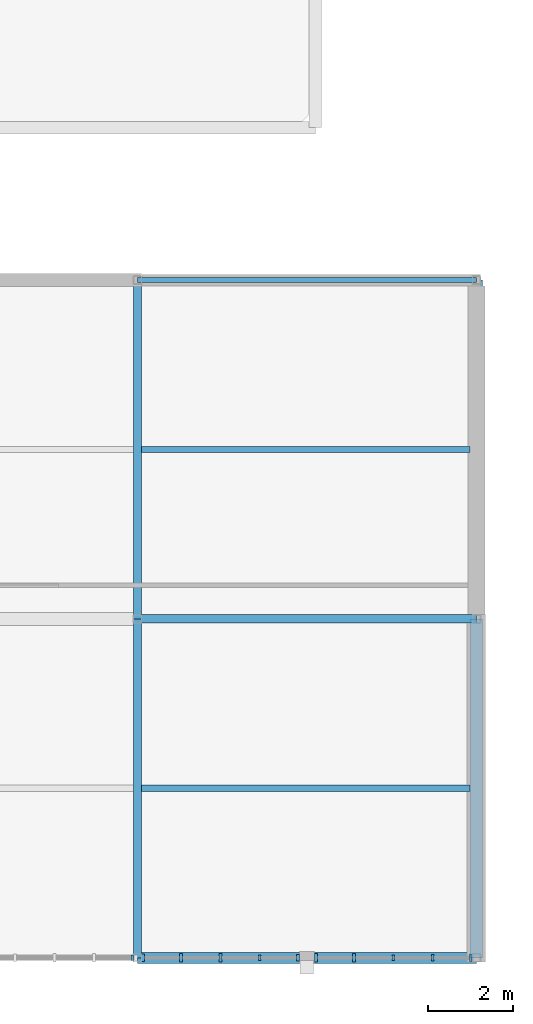
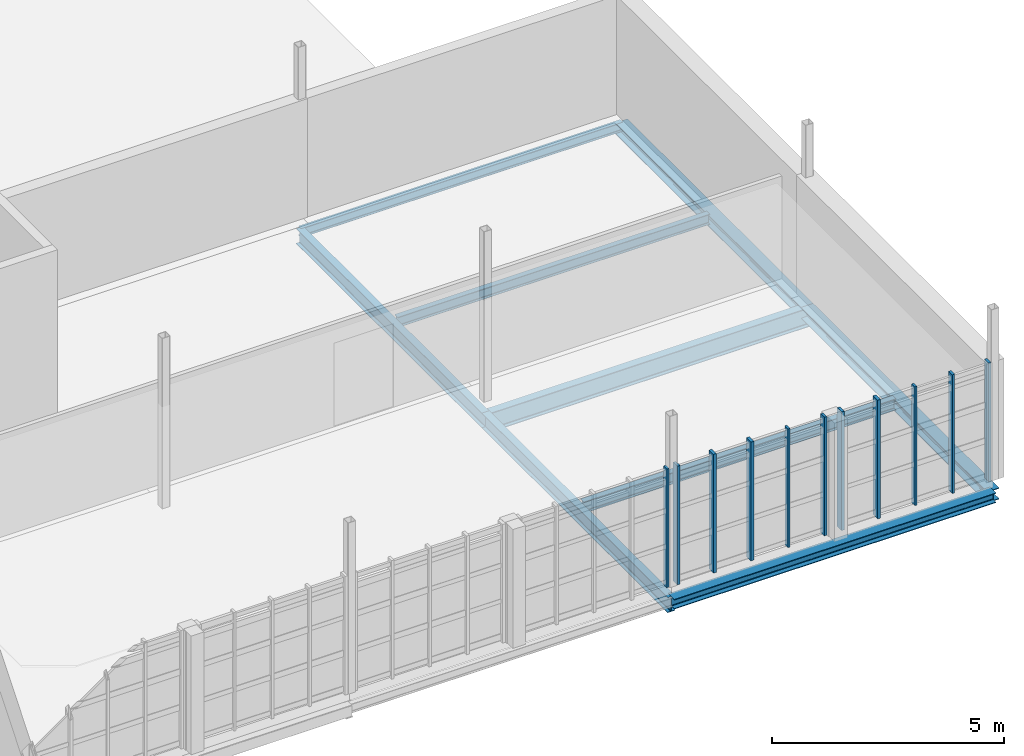
# One storey, part 39 of 125: 11 members, 9 beams, 3 elements without a shape of their own.
"""IFC4 building model written with IfcOpenShell, lengths in metres."""

from ifc_helpers import new_model, si_unit, direction, frame, origin, origin_2d, place, context, subcontext, project, spatial, rectangle, i_section, extrude, material, material_profile, profile_set, type_object, element, aggregate, save


model = new_model("IFC4")

# Units and contexts
model_context = context("Model", 3, precision=1e-05, world=origin(), true_north=direction((0.0, 1.0)))
body_context = subcontext(model_context, "Body", "Model", "MODEL_VIEW")
ifc_project = project(units=[si_unit("LENGTHUNIT", "METRE"), si_unit("AREAUNIT", "SQUARE_METRE"), si_unit("VOLUMEUNIT", "CUBIC_METRE"), si_unit("PLANEANGLEUNIT", "RADIAN"), si_unit("MASSUNIT", "GRAM", prefix="KILO")], contexts=[model_context])

# Site, building, storey
site_placement = place(None, origin())
site = spatial("IfcSite", under=ifc_project, at=site_placement, CompositionType="ELEMENT")
building_placement = place(site_placement, origin())
building = spatial("IfcBuilding", under=site, at=building_placement, Name="Serraforn Aerial Cableway Station", CompositionType="ELEMENT")
storey_placement = place(building_placement, frame((0.0, 0.0, 4.5)))
storey = spatial("IfcBuildingStorey", under=building, at=storey_placement, Name="L01", CompositionType="ELEMENT", Elevation=4.5)

# Beams
ifc_material_1 = material(Name="Steel S355J2", Category="steel")
ifc_material_profile_1 = material_profile(ifc_material_1, i_section(OverallWidth=0.260009765625, OverallDepth=0.260009765625, WebThickness=0.010009765625, FlangeThickness=0.017578125, FilletRadius=0.02392578125, at=origin_2d()), Name="HEB 260")
ifc_profile_set_1 = profile_set([ifc_material_profile_1], Name="Steel S355J2")
beam_type_1 = type_object("IfcBeamType", Name="BM-ST-HEB260", PredefinedType="BEAM", material=ifc_profile_set_1)
beam_1_placement = place(storey_placement, frame((160.0, 0.0, -0.449951171875), z_axis=(1.0, 0.0, 0.0), x_axis=(0.0, 1.0, 0.0)))
element("IfcBeam", 1, at=beam_1_placement, inside=storey, type_object=beam_type_1, Name="Grid Girder X ES L01 Y1-3", PredefinedType="BEAM", context=body_context, shape_type="SweptSolid", body=[
    extrude(i_section(OverallWidth=0.260009765625, OverallDepth=0.260009765625, WebThickness=0.010009765625, FlangeThickness=0.017578125, FilletRadius=0.02392578125, at=origin_2d()), origin(), (0.0, 0.0, 1.0), 8.0),
])
ifc_material_profile_2 = material_profile(ifc_material_1, i_section(OverallWidth=0.300048828125, OverallDepth=0.300048828125, WebThickness=0.010986328125, FlangeThickness=0.01904296875, FilletRadius=0.027099609375, at=origin_2d()), Name="HEB 300")
ifc_profile_set_2 = profile_set([ifc_material_profile_2], Name="Steel S355J2")
beam_type_2 = type_object("IfcBeamType", Name="BM-ST-HEB300", PredefinedType="BEAM", material=ifc_profile_set_2)
for number, where, z_axis, x_axis, name in (
    (2, (168.0, 0.0, -0.469970703125), (0.0, 1.0, 0.0), (-1.0, 0.0, 0.0), "Grid Girder Y ES L01 X4-1"),
    (3, (168.0, 8.0, -0.469970703125), (0.0, 1.0, 0.0), (-1.0, 0.0, 0.0), "Grid Girder Y ES L01 X4-2"),
):
    element("IfcBeam", number, at=place(storey_placement, frame(where, z_axis=z_axis, x_axis=x_axis)), inside=storey, type_object=beam_type_2, Name=name, PredefinedType="BEAM", context=body_context, shape_type="SweptSolid", body=[
        extrude(i_section(OverallWidth=0.300048828125, OverallDepth=0.300048828125, WebThickness=0.010986328125, FlangeThickness=0.01904296875, FilletRadius=0.027099609375, at=origin_2d()), origin(), (0.0, 0.0, 1.0), 8.0),
    ])
ifc_material_2 = material(Name="Steel S355JR", Category="steel")
ifc_material_profile_3 = material_profile(ifc_material_2, i_section(OverallWidth=0.1201171875, OverallDepth=0.239990234375, WebThickness=0.006103515625, FlangeThickness=0.009765625, FilletRadius=0.014892578125, at=origin_2d()), Name="IPE 240")
ifc_profile_set_3 = profile_set([ifc_material_profile_3], Name="Steel S355JR")
beam_type_3 = type_object("IfcBeamType", Name="BM-ST-IPE240", PredefinedType="SPANDREL", material=ifc_profile_set_3)
beam_2_placement = place(storey_placement, frame((160.0, 16.0, -0.43994140625), z_axis=(1.0, 0.0, 0.0), x_axis=(0.0, 1.0, 0.0)))
element("IfcBeam", 4, at=beam_2_placement, inside=storey, type_object=beam_type_3, Name="Grid Girder X ES L01 Y3-3", PredefinedType="SPANDREL", context=body_context, shape_type="SweptSolid", body=[
    extrude(i_section(OverallWidth=0.1201171875, OverallDepth=0.239990234375, WebThickness=0.006103515625, FlangeThickness=0.009765625, FilletRadius=0.014892578125, at=origin_2d()), origin(), (0.0, 0.0, 1.0), 8.0),
])
ifc_material_profile_4 = material_profile(ifc_material_2, i_section(OverallWidth=0.135009765625, OverallDepth=0.27001953125, WebThickness=0.006591796875, FlangeThickness=0.01025390625, FilletRadius=0.014892578125, at=origin_2d()), Name="IPE 270")
ifc_profile_set_4 = profile_set([ifc_material_profile_4], Name="Steel S355JR")
beam_type_4 = type_object("IfcBeamType", Name="BM-ST-IPE270", PredefinedType="JOIST", material=ifc_profile_set_4)
beam_3_placement = place(storey_placement, frame((160.090087890625, 12.0, -0.389892578125), z_axis=(1.0, 0.0, 0.0), x_axis=(0.0, 1.0, 0.0)))
element("IfcBeam", 5, at=beam_3_placement, inside=storey, type_object=beam_type_4, Name="Floor Joist ES-L01-3-2-1", PredefinedType="JOIST", context=body_context, shape_type="SweptSolid", body=[
    extrude(i_section(OverallWidth=0.135009765625, OverallDepth=0.27001953125, WebThickness=0.006591796875, FlangeThickness=0.01025390625, FilletRadius=0.014892578125, at=origin_2d()), origin(), (0.0, 0.0, 1.0), 7.760009765625),
])
ifc_material_profile_5 = material_profile(ifc_material_2, i_section(OverallWidth=0.14990234375, OverallDepth=0.300048828125, WebThickness=0.007080078125, FlangeThickness=0.0107421875, FilletRadius=0.014892578125, at=origin_2d()), Name="IPE 300")
ifc_profile_set_5 = profile_set([ifc_material_profile_5], Name="Steel S355JR")
beam_type_5 = type_object("IfcBeamType", Name="BM-ST-IPE300", PredefinedType="JOIST", material=ifc_profile_set_5)
beam_4_placement = place(storey_placement, frame((160.090087890625, 4.0, -0.405029296875), z_axis=(1.0, 0.0, 0.0), x_axis=(0.0, 1.0, 0.0)))
element("IfcBeam", 6, at=beam_4_placement, inside=storey, type_object=beam_type_5, Name="Floor Joist ES-L01-3-1-1", PredefinedType="JOIST", context=body_context, shape_type="SweptSolid", body=[
    extrude(i_section(OverallWidth=0.14990234375, OverallDepth=0.300048828125, WebThickness=0.007080078125, FlangeThickness=0.0107421875, FilletRadius=0.014892578125, at=origin_2d()), origin(), (0.0, 0.0, 1.0), 7.760009765625),
])
ifc_material_profile_6 = material_profile(ifc_material_2, i_section(OverallWidth=0.179931640625, OverallDepth=0.39990234375, WebThickness=0.008544921875, FlangeThickness=0.013427734375, FilletRadius=0.02099609375, at=origin_2d()), Name="IPE 400")
ifc_profile_set_6 = profile_set([ifc_material_profile_6], Name="Steel S355JR")
beam_type_6 = type_object("IfcBeamType", Name="BM-ST-IPE400", PredefinedType="BEAM", material=ifc_profile_set_6)
for number, where, z_axis, x_axis, name in (
    (7, (160.0, 0.0, -0.52001953125), (0.0, 1.0, 0.0), (-1.0, 0.0, 0.0), "Grid Girder Y ES L01 X3-1"),
    (8, (160.0, 8.0, -0.52001953125), (0.0, 1.0, 0.0), (-1.0, 0.0, 0.0), "Grid Girder Y ES L01 X3-2"),
):
    element("IfcBeam", number, at=place(storey_placement, frame(where, z_axis=z_axis, x_axis=x_axis)), inside=storey, type_object=beam_type_6, Name=name, PredefinedType="BEAM", context=body_context, shape_type="SweptSolid", body=[
        extrude(i_section(OverallWidth=0.179931640625, OverallDepth=0.39990234375, WebThickness=0.008544921875, FlangeThickness=0.013427734375, FilletRadius=0.02099609375, at=origin_2d()), origin(), (0.0, 0.0, 1.0), 8.0),
    ])
ifc_material_profile_7 = material_profile(ifc_material_2, i_section(OverallWidth=0.199951171875, OverallDepth=0.5, WebThickness=0.01025390625, FlangeThickness=0.01611328125, FilletRadius=0.02099609375, at=origin_2d()), Name="IPE 500")
ifc_profile_set_7 = profile_set([ifc_material_profile_7], Name="Steel S355JR")
beam_type_7 = type_object("IfcBeamType", Name="BM-ST-IPE500", PredefinedType="USERDEFINED", material=ifc_profile_set_7)
beam_5_placement = place(storey_placement, frame((160.0, 8.0, -0.570068359375), z_axis=(1.0, 0.0, 0.0), x_axis=(0.0, 1.0, 0.0)))
element("IfcBeam", 9, at=beam_5_placement, inside=storey, type_object=beam_type_7, Name="Grid Girder X ES L01 Y2-3", ObjectType="GIRDER", PredefinedType="USERDEFINED", context=body_context, shape_type="SweptSolid", body=[
    extrude(i_section(OverallWidth=0.199951171875, OverallDepth=0.5, WebThickness=0.01025390625, FlangeThickness=0.01611328125, FilletRadius=0.02099609375, at=origin_2d()), origin(), (0.0, 0.0, 1.0), 8.0),
])

# Curtain wall, member
ifc_material_3 = material(Name="Anodised bronze unitised curtain wall")
curtain_wall_type_1 = type_object("IfcCurtainWallType", Name="CW-SYS-6", PredefinedType="USERDEFINED", material=ifc_material_3)
curtain_wall_1_placement = place(storey_placement, origin())
curtain_wall_1 = element("IfcCurtainWall", 10, at=curtain_wall_1_placement, inside=storey, type_object=curtain_wall_type_1, Name="Unitised Curtain Wall CW-ES-L01-S2B", ObjectType="UNITISED CURTAIN WALL", PredefinedType="USERDEFINED")
ifc_material_4 = material(Name="Anodised bronze extruded aluminium", Category="aluminium")
ifc_material_profile_8 = material_profile(ifc_material_4, rectangle(XDim=0.054931640625, YDim=0.139892578125, at=origin_2d()), Name="CW MULLION 55x140")
ifc_profile_set_8 = profile_set([ifc_material_profile_8], Name="Anodised bronze extruded aluminium")
member_type_1 = type_object("IfcMemberType", Name="CW-MUL-1", PredefinedType="MULLION", material=ifc_profile_set_8)
member_1_placement = place(storey_placement, frame((159.87451171875, 0.0, 0.0), z_axis=(0.0, 0.0, 1.0), x_axis=(1.0, 0.0, 0.0)))
member_1 = element("IfcMember", 11, at=member_1_placement, type_object=member_type_1, Name="Curtain Wall Mullion CW-ES-L01-S2B-M5", PredefinedType="MULLION", context=body_context, shape_type="SweptSolid", body=[
    extrude(rectangle(XDim=0.054931640625, YDim=0.139892578125, at=origin_2d()), origin(), (0.0, 0.0, 1.0), 3.1201171875),
])
aggregate(curtain_wall_1, [member_1])

curtain_wall_type_2 = type_object("IfcCurtainWallType", Name="CW-SYS-7", PredefinedType="USERDEFINED", material=ifc_material_3)
curtain_wall_2_placement = place(storey_placement, origin())
curtain_wall_2 = element("IfcCurtainWall", 12, at=curtain_wall_2_placement, inside=storey, type_object=curtain_wall_type_2, Name="Unitised Curtain Wall CW-ES-L01-S3A", ObjectType="UNITISED CURTAIN WALL", PredefinedType="USERDEFINED")
member_2_placement = place(storey_placement, frame((162.889404296875, 0.0, 0.0), z_axis=(0.0, 0.0, 1.0), x_axis=(1.0, 0.0, 0.0)))
member_2 = element("IfcMember", 13, at=member_2_placement, type_object=member_type_1, Name="Curtain Wall Mullion CW-ES-L01-S3A-M4", PredefinedType="MULLION", context=body_context, shape_type="SweptSolid", body=[
    extrude(rectangle(XDim=0.054931640625, YDim=0.139892578125, at=origin_2d()), origin(), (0.0, 0.0, 1.0), 3.1201171875),
])

curtain_wall_type_3 = type_object("IfcCurtainWallType", Name="CW-SYS-8", PredefinedType="USERDEFINED", material=ifc_material_3)
curtain_wall_3_placement = place(storey_placement, origin())
curtain_wall_3 = element("IfcCurtainWall", 14, at=curtain_wall_3_placement, inside=storey, type_object=curtain_wall_type_3, Name="Unitised Curtain Wall CW-ES-L01-S3B", ObjectType="UNITISED CURTAIN WALL", PredefinedType="USERDEFINED")
member_3_placement = place(storey_placement, frame((166.041015625, 0.0, 0.0), z_axis=(0.0, 0.0, 1.0), x_axis=(1.0, 0.0, 0.0)))
member_3 = element("IfcMember", 15, at=member_3_placement, type_object=member_type_1, Name="Curtain Wall Mullion CW-ES-L01-S3B-M3", PredefinedType="MULLION", context=body_context, shape_type="SweptSolid", body=[
    extrude(rectangle(XDim=0.054931640625, YDim=0.139892578125, at=origin_2d()), origin(), (0.0, 0.0, 1.0), 3.1201171875),
])

# Member
ifc_material_profile_9 = material_profile(ifc_material_4, rectangle(XDim=0.06005859375, YDim=0.159912109375, at=origin_2d()), Name="CW MULLION 60x160")
ifc_profile_set_9 = profile_set([ifc_material_profile_9], Name="Anodised bronze extruded aluminium")
member_type_2 = type_object("IfcMemberType", Name="CW-MUL-2", PredefinedType="MULLION", material=ifc_profile_set_9)
member_4_placement = place(storey_placement, frame((163.7900390625, 0.0, 0.0), z_axis=(0.0, 0.0, 1.0), x_axis=(1.0, 0.0, 0.0)))
member_4 = element("IfcMember", 16, at=member_4_placement, type_object=member_type_2, Name="Curtain Wall Mullion CW-ES-L01-S3A-M5", PredefinedType="MULLION", context=body_context, shape_type="SweptSolid", body=[
    extrude(rectangle(XDim=0.06005859375, YDim=0.159912109375, at=origin_2d()), origin(), (0.0, 0.0, 1.0), 3.1201171875),
])

member_5_placement = place(storey_placement, frame((166.971435546875, 0.0, 0.0), z_axis=(0.0, 0.0, 1.0), x_axis=(1.0, 0.0, 0.0)))
member_5 = element("IfcMember", 17, at=member_5_placement, type_object=member_type_2, Name="Curtain Wall Mullion CW-ES-L01-S3B-M4", PredefinedType="MULLION", context=body_context, shape_type="SweptSolid", body=[
    extrude(rectangle(XDim=0.06005859375, YDim=0.159912109375, at=origin_2d()), origin(), (0.0, 0.0, 1.0), 3.1201171875),
])

ifc_material_profile_10 = material_profile(ifc_material_4, rectangle(XDim=0.06494140625, YDim=0.175048828125, at=origin_2d()), Name="CW MULLION 65x175")
ifc_profile_set_10 = profile_set([ifc_material_profile_10], Name="Anodised bronze extruded aluminium")
member_type_3 = type_object("IfcMemberType", Name="CW-MUL-3", PredefinedType="MULLION", material=ifc_profile_set_10)
member_6_placement = place(storey_placement, frame((160.130615234375, 0.0, 0.0), z_axis=(0.0, 0.0, 1.0), x_axis=(1.0, 0.0, 0.0)))
member_6 = element("IfcMember", 18, at=member_6_placement, type_object=member_type_3, Name="Curtain Wall Mullion CW-ES-L01-S3A-M1", PredefinedType="MULLION", context=body_context, shape_type="SweptSolid", body=[
    extrude(rectangle(XDim=0.06494140625, YDim=0.175048828125, at=origin_2d()), origin(), (0.0, 0.0, 1.0), 3.1201171875),
])

member_7_placement = place(storey_placement, frame((167.869384765625, 0.0, 0.0), z_axis=(0.0, 0.0, 1.0), x_axis=(1.0, 0.0, 0.0)))
member_7 = element("IfcMember", 19, at=member_7_placement, type_object=member_type_3, Name="Curtain Wall Mullion CW-ES-L01-S3B-M5", PredefinedType="MULLION", context=body_context, shape_type="SweptSolid", body=[
    extrude(rectangle(XDim=0.06494140625, YDim=0.175048828125, at=origin_2d()), origin(), (0.0, 0.0, 1.0), 3.1201171875),
])

ifc_material_profile_11 = material_profile(ifc_material_4, rectangle(XDim=0.070068359375, YDim=0.18994140625, at=origin_2d()), Name="CW MULLION 70x190")
ifc_profile_set_11 = profile_set([ifc_material_profile_11], Name="Anodised bronze extruded aluminium")
member_type_4 = type_object("IfcMemberType", Name="CW-MUL-4", PredefinedType="MULLION", material=ifc_profile_set_11)
member_8_placement = place(storey_placement, frame((161.028564453125, 0.0, 0.0), z_axis=(0.0, 0.0, 1.0), x_axis=(1.0, 0.0, 0.0)))
member_8 = element("IfcMember", 20, at=member_8_placement, type_object=member_type_4, Name="Curtain Wall Mullion CW-ES-L01-S3A-M2", PredefinedType="MULLION", context=body_context, shape_type="SweptSolid", body=[
    extrude(rectangle(XDim=0.070068359375, YDim=0.18994140625, at=origin_2d()), origin(), (0.0, 0.0, 1.0), 3.1201171875),
])

member_9_placement = place(storey_placement, frame((164.215087890625, 0.0, 0.0), z_axis=(0.0, 0.0, 1.0), x_axis=(1.0, 0.0, 0.0)))
member_9 = element("IfcMember", 21, at=member_9_placement, type_object=member_type_4, Name="Curtain Wall Mullion CW-ES-L01-S3B-M1", PredefinedType="MULLION", context=body_context, shape_type="SweptSolid", body=[
    extrude(rectangle(XDim=0.070068359375, YDim=0.18994140625, at=origin_2d()), origin(), (0.0, 0.0, 1.0), 3.1201171875),
])

ifc_material_profile_12 = material_profile(ifc_material_4, rectangle(XDim=0.074951171875, YDim=0.199951171875, at=origin_2d()), Name="CW MULLION 75x200")
ifc_profile_set_12 = profile_set([ifc_material_profile_12], Name="Anodised bronze extruded aluminium")
member_type_5 = type_object("IfcMemberType", Name="CW-MUL-5", PredefinedType="MULLION", material=ifc_profile_set_12)
member_10_placement = place(storey_placement, frame((161.958984375, 0.0, 0.0), z_axis=(0.0, 0.0, 1.0), x_axis=(1.0, 0.0, 0.0)))
member_10 = element("IfcMember", 22, at=member_10_placement, type_object=member_type_5, Name="Curtain Wall Mullion CW-ES-L01-S3A-M3", PredefinedType="MULLION", context=body_context, shape_type="SweptSolid", body=[
    extrude(rectangle(XDim=0.074951171875, YDim=0.199951171875, at=origin_2d()), origin(), (0.0, 0.0, 1.0), 3.1201171875),
])

aggregate(curtain_wall_2, [member_6, member_8, member_10, member_2, member_4])

member_11_placement = place(storey_placement, frame((165.110595703125, 0.0, 0.0), z_axis=(0.0, 0.0, 1.0), x_axis=(1.0, 0.0, 0.0)))
member_11 = element("IfcMember", 23, at=member_11_placement, type_object=member_type_5, Name="Curtain Wall Mullion CW-ES-L01-S3B-M2", PredefinedType="MULLION", context=body_context, shape_type="SweptSolid", body=[
    extrude(rectangle(XDim=0.074951171875, YDim=0.199951171875, at=origin_2d()), origin(), (0.0, 0.0, 1.0), 3.1201171875),
])

aggregate(curtain_wall_3, [member_9, member_11, member_3, member_5, member_7])

save(model, "model.ifc")
